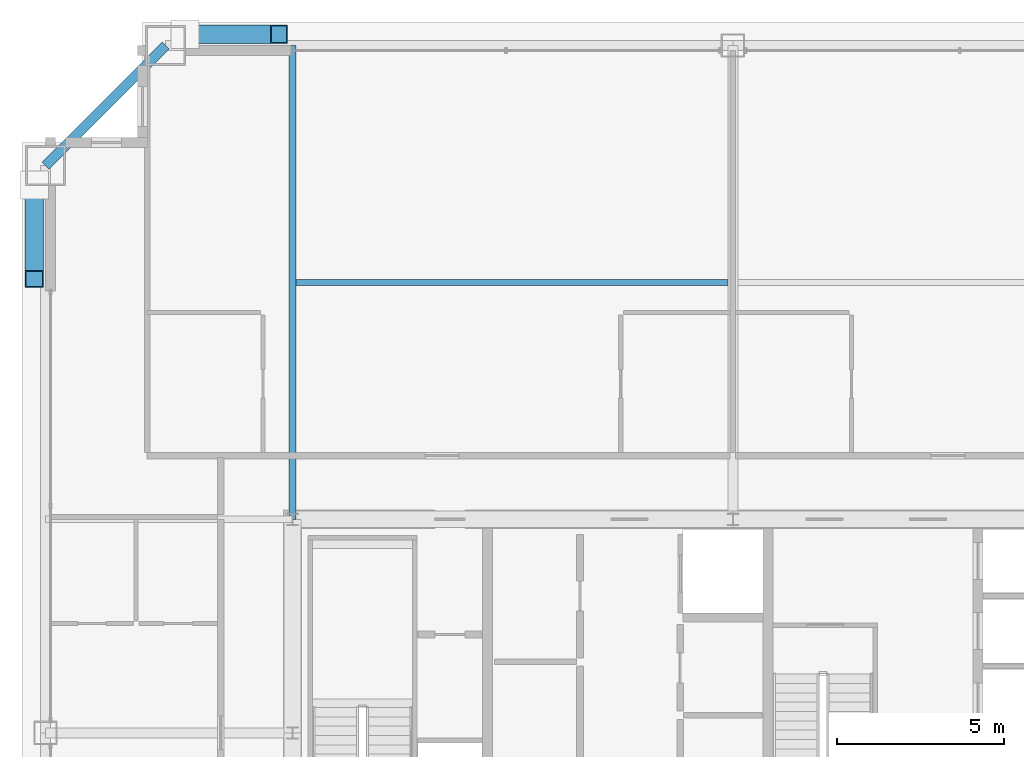
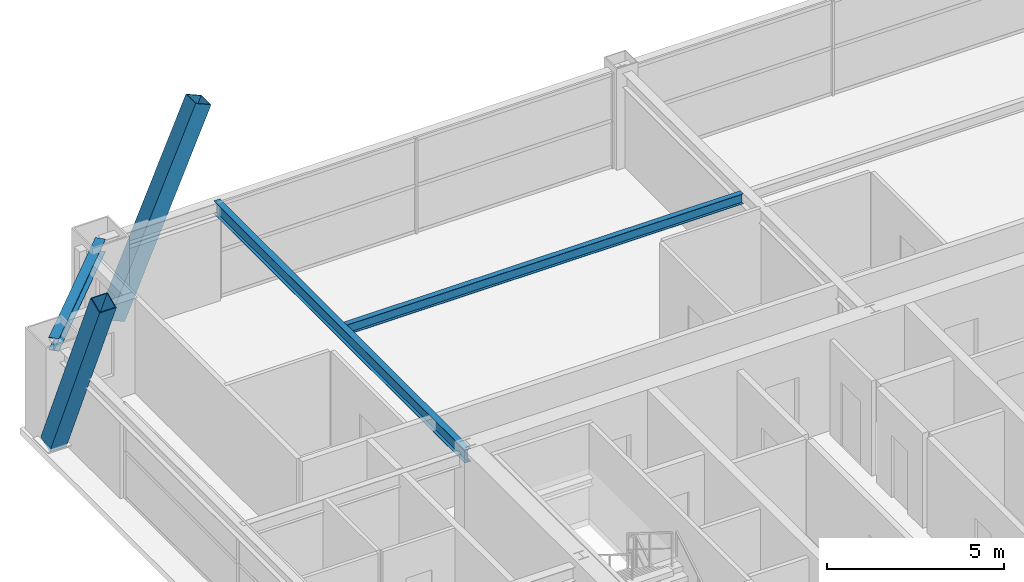
# One storey, part 22 of 35: 3 beams, 2 members.
"""IFC4 building model written with IfcOpenShell, lengths in metres."""

from ifc_helpers import new_model, si_unit, direction, frame, origin, origin_2d, place, context, subcontext, project, spatial, hollow_rectangle, i_section, extrude, source, transform, mapped, material, material_profile, profile_set, type_object, element, save


model = new_model("IFC4")

# Units and contexts
model_context = context("Model", 3, precision=1e-05, world=origin(), true_north=direction((0.0, 1.0)))
body_context = subcontext(model_context, "Body", "Model", "MODEL_VIEW")
ifc_project = project(units=[si_unit("LENGTHUNIT", "METRE"), si_unit("AREAUNIT", "SQUARE_METRE"), si_unit("VOLUMEUNIT", "CUBIC_METRE"), si_unit("PLANEANGLEUNIT", "RADIAN"), si_unit("MASSUNIT", "GRAM", prefix="KILO"), si_unit("THERMODYNAMICTEMPERATUREUNIT", "KELVIN"), si_unit("POWERUNIT", "WATT")], contexts=[model_context])

# Site, building, storey
site_placement = place(None, origin())
site = spatial("IfcSite", under=ifc_project, at=site_placement, CompositionType="ELEMENT")
building_placement = place(site_placement, origin())
building = spatial("IfcBuilding", under=site, at=building_placement, Name="Yuzanri Waterfront Tower", CompositionType="ELEMENT")
storey_placement = place(building_placement, frame((0.0, 0.0, 271.60009765625)))
storey = spatial("IfcBuildingStorey", under=building, at=storey_placement, Name="L72", CompositionType="ELEMENT", Elevation=271.60009765625)

# Beams
ifc_material_1 = material(Name="Steel Q355B", Category="steel")
ifc_material_profile_1 = material_profile(ifc_material_1, i_section(OverallWidth=0.300048828125, OverallDepth=0.43994140625, WebThickness=0.010986328125, FlangeThickness=0.01806640625, at=origin_2d()), Name="HM 440x300x11x18")
ifc_profile_set_1 = profile_set([ifc_material_profile_1], Name="Steel Q355B")
beam_type_1 = type_object("IfcBeamType", Name="Perimeter Spandrel Q355B HM 440x300", PredefinedType="SPANDREL", material=ifc_profile_set_1)
shared_shape_1 = source(origin(), body_context, "Body", "SweptSolid", [
    extrude(i_section(OverallWidth=0.300048828125, OverallDepth=0.43994140625, WebThickness=0.010986328125, FlangeThickness=0.01806640625, at=origin_2d()), origin(), (0.0, 0.0, 1.0), 5.091064453125),
])
beam_1_placement = place(storey_placement, frame((20.0, 46.39990234375, 3.059814453125), z_axis=(-0.707130757816, -0.707082803744, 0.0), x_axis=(0.707082803744, -0.707130757816, 0.0)))
element("IfcBeam", 1, at=beam_1_placement, inside=storey, type_object=beam_type_1, Name="L72 Perimeter Spandrel N1-W3", PredefinedType="SPANDREL", context=body_context, shape_type="MappedRepresentation", body=[
    mapped(shared_shape_1, transform((0.0, 0.0, 0.0), scale=1.0)),
])
ifc_material_2 = material(Name="Steel Q355B", Category="steel")
ifc_material_profile_2 = material_profile(ifc_material_2, i_section(OverallWidth=0.199951171875, OverallDepth=0.449951171875, WebThickness=0.009033203125, FlangeThickness=0.013916015625, at=origin_2d()), Name="HN 450x200x9x14")
ifc_profile_set_2 = profile_set([ifc_material_profile_2], Name="Steel Q355B")
beam_type_2 = type_object("IfcBeamType", Name="Secondary Floor Beam Q355B HN 450x200", PredefinedType="BEAM", material=ifc_profile_set_2)
shared_shape_2 = source(origin(), body_context, "Body", "SweptSolid", [
    extrude(i_section(OverallWidth=0.199951171875, OverallDepth=0.449951171875, WebThickness=0.009033203125, FlangeThickness=0.013916015625, at=origin_2d()), origin(), (0.0, 0.0, 1.0), 14.199951171875),
])
beam_2_placement = place(storey_placement, frame((23.800048828125, 32.199951171875, 3.054931640625), z_axis=(0.0, 1.0, 0.0), x_axis=(-1.0, 0.0, 0.0)))
element("IfcBeam", 2, at=beam_2_placement, inside=storey, type_object=beam_type_2, Name="L72 North-West Core Line Beam", PredefinedType="BEAM", context=body_context, shape_type="MappedRepresentation", body=[
    mapped(shared_shape_2, transform((0.0, 0.0, 0.0), scale=1.0)),
])
ifc_material_3 = material(Name="Steel Q355B", Category="steel")
ifc_material_profile_3 = material_profile(ifc_material_3, i_section(OverallWidth=0.175048828125, OverallDepth=0.35009765625, WebThickness=0.007080078125, FlangeThickness=0.010986328125, at=origin_2d()), Name="HN 350x175x7x11")
ifc_profile_set_3 = profile_set([ifc_material_profile_3], Name="Steel Q355B")
beam_type_3 = type_object("IfcBeamType", Name="Floor Joist Q355B HN 350x175", PredefinedType="JOIST", material=ifc_profile_set_3)
shared_shape_3 = source(origin(), body_context, "Body", "SweptSolid", [
    extrude(i_section(OverallWidth=0.175048828125, OverallDepth=0.35009765625, WebThickness=0.007080078125, FlangeThickness=0.010986328125, at=origin_2d()), origin(), (0.0, 0.0, 1.0), 12.9501953125),
])
beam_3_placement = place(storey_placement, frame((23.89990234375, 39.300048828125, 3.10498046875), z_axis=(1.0, 0.0, 0.0), x_axis=(0.0, 1.0, 0.0)))
element("IfcBeam", 3, at=beam_3_placement, inside=storey, type_object=beam_type_3, Name="L72 North Bay Joist W", PredefinedType="JOIST", context=body_context, shape_type="MappedRepresentation", body=[
    mapped(shared_shape_3, transform((0.0, 0.0, 0.0), scale=1.0)),
])

# Members
ifc_material_4 = material(Name="Steel Q390GJC", Category="steel")
ifc_material_profile_4 = material_profile(ifc_material_4, hollow_rectangle(XDim=0.550048828125, YDim=0.550048828125, WallThickness=0.02490234375, at=origin_2d()), Name="RHS 550x550x25")
ifc_profile_set_4 = profile_set([ifc_material_profile_4], Name="Steel Q390GJC")
member_type = type_object("IfcMemberType", Name="Mega Brace Mid Q390GJC RHS 550x550x25", PredefinedType="BRACE", material=ifc_profile_set_4)
shared_shape_4 = source(origin(), body_context, "Body", "SweptSolid", [
    extrude(hollow_rectangle(XDim=0.550048828125, YDim=0.550048828125, WallThickness=0.02490234375, at=origin_2d()), origin(), (0.0, 0.0, 1.0), 7.085205078125),
])
member_1_placement = place(storey_placement, frame((20.580078125, 46.739990234375, 0.179931640625), z_axis=(0.397982599681, 0.0, 0.917392963975), x_axis=(0.0, 1.0, 0.0)))
element("IfcMember", 4, at=member_1_placement, inside=storey, type_object=member_type, Name="L72-L73 Perimeter Mega-Brace N-L", PredefinedType="BRACE", context=body_context, shape_type="MappedRepresentation", body=[
    mapped(shared_shape_4, transform((0.0, 0.0, 0.0), scale=1.0)),
])
shared_shape_5 = source(origin(), body_context, "Body", "SweptSolid", [
    extrude(hollow_rectangle(XDim=0.550048828125, YDim=0.550048828125, WallThickness=0.02490234375, at=origin_2d()), origin(), (0.0, 0.0, 1.0), 7.08544921875),
])
member_2_placement = place(storey_placement, frame((16.06005859375, 42.219970703125, 0.179931640625), z_axis=(0.0, -0.398011598745, 0.917380383082), x_axis=(1.0, 0.0, 0.0)))
element("IfcMember", 5, at=member_2_placement, inside=storey, type_object=member_type, Name="L72-L73 Perimeter Mega-Brace W-R", PredefinedType="BRACE", context=body_context, shape_type="MappedRepresentation", body=[
    mapped(shared_shape_5, transform((0.0, 0.0, 0.0), scale=1.0)),
])

save(model, "model.ifc")
